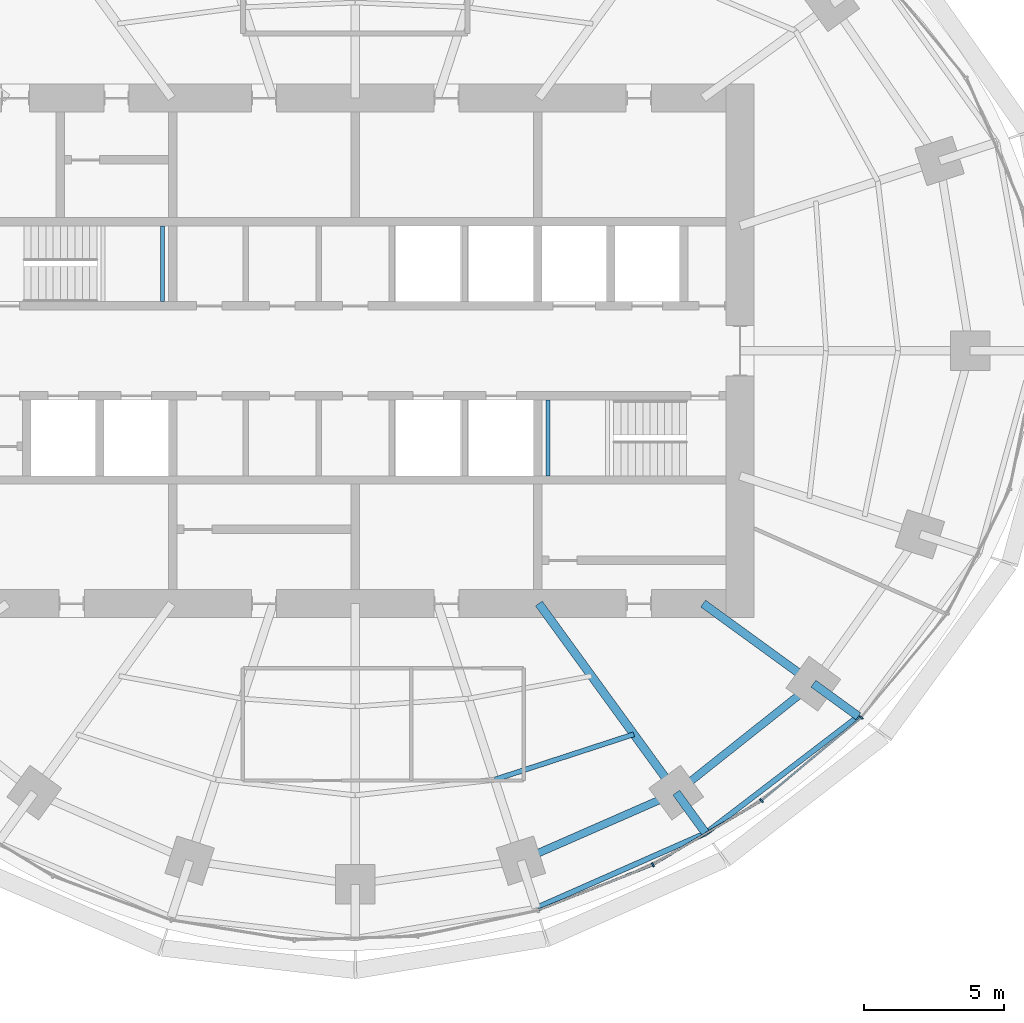
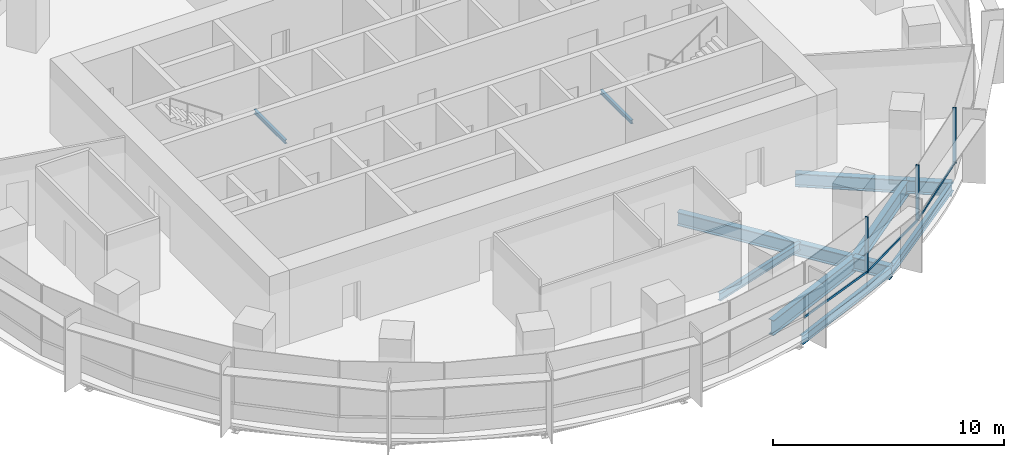
# One storey, part 5 of 14: 11 beams, 6 members, 2 elements without a shape of their own.
"""IFC4 building model written with IfcOpenShell, lengths in metres."""

from ifc_helpers import new_model, si_unit, direction, frame, origin, origin_2d, place, context, subcontext, project, spatial, rectangle, i_section, extrude, material, material_profile, profile_set, type_object, element, aggregate, save


model = new_model("IFC4")

# Units and contexts
model_context = context("Model", 3, precision=1e-05, world=origin(), true_north=direction((0.0, 1.0)))
body_context = subcontext(model_context, "Body", "Model", "MODEL_VIEW")
ifc_project = project(units=[si_unit("LENGTHUNIT", "METRE"), si_unit("AREAUNIT", "SQUARE_METRE"), si_unit("VOLUMEUNIT", "CUBIC_METRE"), si_unit("PLANEANGLEUNIT", "RADIAN"), si_unit("MASSUNIT", "GRAM", prefix="KILO")], contexts=[model_context])

# Site, building, storey
site_placement = place(None, origin())
site = spatial("IfcSite", under=ifc_project, at=site_placement, CompositionType="ELEMENT")
building_placement = place(site_placement, origin())
building = spatial("IfcBuilding", under=site, at=building_placement, Name="Marramba Exchange Tower", CompositionType="ELEMENT")
storey_placement = place(building_placement, frame((0.0, 0.0, 222.800048828125)))
storey = spatial("IfcBuildingStorey", under=building, at=storey_placement, Name="L54", CompositionType="ELEMENT", Elevation=222.800048828125)

# Beams
ifc_material_1 = material(Name="Steel AS/NZS 3679.2 grade 300", Category="steel")
ifc_material_profile_1 = material_profile(ifc_material_1, i_section(OverallWidth=0.300048828125, OverallDepth=0.699951171875, WebThickness=0.010009765625, FlangeThickness=0.031982421875, at=origin_2d()), Name="700WB173")
ifc_profile_set_1 = profile_set([ifc_material_profile_1], Name="Steel AS/NZS 3679.2 grade 300")
beam_type_1 = type_object("IfcBeamType", Name="Cantilever girder 700WB173", PredefinedType="BEAM", material=ifc_profile_set_1)
beam_1_placement = place(storey_placement, frame((11.430419921875, -15.732666015625, -0.510009765625), z_axis=(0.58783009415, -0.808984412959, 0.0), x_axis=(0.808984412959, 0.58783009415, 0.0)))
element("IfcBeam", 1, at=beam_1_placement, inside=storey, type_object=beam_type_1, Name="Cantilever girder L54 TC18", PredefinedType="BEAM", context=body_context, shape_type="SweptSolid", body=[
    extrude(i_section(OverallWidth=0.300048828125, OverallDepth=0.699951171875, WebThickness=0.010009765625, FlangeThickness=0.031982421875, at=origin_2d()), origin(), (0.0, 0.0, 1.0), 1.78515625),
])
beam_2_placement = place(storey_placement, frame((16.3154296875, -11.853759765625, -0.510009765625), z_axis=(0.808970801893, -0.587848825537, 0.0), x_axis=(0.587848825537, 0.808970801893, 0.0)))
element("IfcBeam", 2, at=beam_2_placement, inside=storey, type_object=beam_type_1, Name="Cantilever girder L54 TC19", PredefinedType="BEAM", context=body_context, shape_type="SweptSolid", body=[
    extrude(i_section(OverallWidth=0.300048828125, OverallDepth=0.699951171875, WebThickness=0.010009765625, FlangeThickness=0.031982421875, at=origin_2d()), origin(), (0.0, 0.0, 1.0), 1.978515625),
])
ifc_material_2 = material(Name="Steel AS/NZS 3679.1 grade 300", Category="steel")
ifc_material_profile_2 = material_profile(ifc_material_2, i_section(OverallWidth=0.177978515625, OverallDepth=0.406005859375, WebThickness=0.0078125, FlangeThickness=0.0126953125, FilletRadius=0.011474609375, at=origin_2d()), Name="410UB59.7")
ifc_profile_set_2 = profile_set([ifc_material_profile_2], Name="Steel AS/NZS 3679.1 grade 300")
beam_type_2 = type_object("IfcBeamType", Name="Floor joist 410UB59.7", PredefinedType="JOIST", material=ifc_profile_set_2)
beam_3_placement = place(storey_placement, frame((4.9619140625, -15.271484375, -0.363037109375), z_axis=(0.950764024931, 0.309915744834, 0.0), x_axis=(-0.309915744834, 0.950764024931, 0.0)))
element("IfcBeam", 3, at=beam_3_placement, inside=storey, type_object=beam_type_2, Name="Joist L54 bay 17 row 2", PredefinedType="JOIST", context=body_context, shape_type="SweptSolid", body=[
    extrude(i_section(OverallWidth=0.177978515625, OverallDepth=0.406005859375, WebThickness=0.0078125, FlangeThickness=0.0126953125, FilletRadius=0.011474609375, at=origin_2d()), origin(), (0.0, 0.0, 1.0), 5.2158203125),
])

# Curtain wall, members
ifc_material_3 = material(Name="Aluminium framing, bronze anodised", Category="aluminium")
curtain_wall_type = type_object("IfcCurtainWallType", Name="Office ribbon curtain wall", PredefinedType="USERDEFINED", material=ifc_material_3)
curtain_wall_1_placement = place(storey_placement, origin())
curtain_wall_1 = element("IfcCurtainWall", 4, at=curtain_wall_1_placement, inside=storey, type_object=curtain_wall_type, Name="Curtain wall CW4 L54 F26-F30", ObjectType="RIBBON CURTAIN WALL", PredefinedType="USERDEFINED")
ifc_material_4 = material(Name="Aluminium mullion, bronze anodised", Category="aluminium")
ifc_material_profile_3 = material_profile(ifc_material_4, rectangle(XDim=0.159912109375, YDim=0.06005859375, at=origin_2d()), Name="CW4 mullion 60x160")
ifc_profile_set_3 = profile_set([ifc_material_profile_3], Name="Aluminium mullion, bronze anodised")
member_type_1 = type_object("IfcMemberType", Name="Office ribbon curtain wall mullion", PredefinedType="MULLION", material=ifc_profile_set_3)
member_1_placement = place(storey_placement, frame((10.60009765625, -18.2998046875, 0.800048828125), z_axis=(0.0, 0.0, 1.0), x_axis=(-0.508010571686, 0.861350833897, 0.0)))
member_1 = element("IfcMember", 5, at=member_1_placement, type_object=member_type_1, Name="CW4 mullion 1", PredefinedType="MULLION", context=body_context, shape_type="SweptSolid", body=[
    extrude(rectangle(XDim=0.159912109375, YDim=0.06005859375, at=origin_2d()), origin(), (0.0, 0.0, 1.0), 2.93994140625),
])
member_2_placement = place(storey_placement, frame((14.461669921875, -16.0166015625, 0.800048828125), z_axis=(0.0, 0.0, 1.0), x_axis=(-0.639565270127, 0.768736798421, 0.0)))
member_2 = element("IfcMember", 6, at=member_2_placement, type_object=member_type_1, Name="CW4 mullion 1", PredefinedType="MULLION", context=body_context, shape_type="SweptSolid", body=[
    extrude(rectangle(XDim=0.159912109375, YDim=0.06005859375, at=origin_2d()), origin(), (0.0, 0.0, 1.0), 2.93994140625),
])
member_3_placement = place(storey_placement, frame((18.01611328125, -13.052490234375, 0.800048828125), z_axis=(0.0, 0.0, 1.0), x_axis=(-0.769912069289, 0.63814998673, 0.0)))
member_3 = element("IfcMember", 7, at=member_3_placement, type_object=member_type_1, Name="CW4 mullion 1", PredefinedType="MULLION", context=body_context, shape_type="SweptSolid", body=[
    extrude(rectangle(XDim=0.159912109375, YDim=0.06005859375, at=origin_2d()), origin(), (0.0, 0.0, 1.0), 2.93994140625),
])

# Curtain wall, member
curtain_wall_2_placement = place(storey_placement, origin())
curtain_wall_2 = element("IfcCurtainWall", 8, at=curtain_wall_2_placement, inside=storey, type_object=curtain_wall_type, Name="Curtain wall CW4 L54 F21-F25", ObjectType="RIBBON CURTAIN WALL", PredefinedType="USERDEFINED")
ifc_material_5 = material(Name="Aluminium transom, bronze anodised", Category="aluminium")
ifc_material_profile_4 = material_profile(ifc_material_5, rectangle(XDim=0.06005859375, YDim=0.1201171875, at=origin_2d()), Name="CW4 transom 60x120")
ifc_profile_set_4 = profile_set([ifc_material_profile_4], Name="Aluminium transom, bronze anodised")
member_type_2 = type_object("IfcMemberType", Name="Office ribbon curtain wall transom", PredefinedType="USERDEFINED", material=ifc_profile_set_4)
member_4_placement = place(storey_placement, frame((6.53271484375, -19.911376953125, 0.829833984375), z_axis=(0.930068344217, 0.367386547229, 0.0), x_axis=(-0.367386547229, 0.930068344217, 0.0)))
member_4 = element("IfcMember", 9, at=member_4_placement, type_object=member_type_2, Name="CW4 sill transom", ObjectType="TRANSOM", PredefinedType="USERDEFINED", context=body_context, shape_type="SweptSolid", body=[
    extrude(rectangle(XDim=0.06005859375, YDim=0.1201171875, at=origin_2d()), origin(), (0.0, 0.0, 1.0), 4.345458984375),
])
aggregate(curtain_wall_2, [member_4])

# Member
member_5_placement = place(storey_placement, frame((10.6259765625, -18.28466796875, 0.829833984375), z_axis=(0.861342387959, 0.508024891816, 0.0), x_axis=(-0.508024891816, 0.861342387959, 0.0)))
member_5 = element("IfcMember", 10, at=member_5_placement, type_object=member_type_2, Name="CW4 sill transom", ObjectType="TRANSOM", PredefinedType="USERDEFINED", context=body_context, shape_type="SweptSolid", body=[
    extrude(rectangle(XDim=0.06005859375, YDim=0.1201171875, at=origin_2d()), origin(), (0.0, 0.0, 1.0), 4.426513671875),
])

member_6_placement = place(storey_placement, frame((14.48486328125, -15.99755859375, 0.829833984375), z_axis=(0.768707257272, 0.639600775967, 0.0), x_axis=(-0.639600775967, 0.768707257272, 0.0)))
member_6 = element("IfcMember", 11, at=member_6_placement, type_object=member_type_2, Name="CW4 sill transom", ObjectType="TRANSOM", PredefinedType="USERDEFINED", context=body_context, shape_type="SweptSolid", body=[
    extrude(rectangle(XDim=0.06005859375, YDim=0.1201171875, at=origin_2d()), origin(), (0.0, 0.0, 1.0), 4.568603515625),
])

aggregate(curtain_wall_1, [member_1, member_5, member_2, member_6, member_3])

# Beams
ifc_material_profile_5 = material_profile(ifc_material_1, i_section(OverallWidth=0.300048828125, OverallDepth=0.699951171875, WebThickness=0.010009765625, FlangeThickness=0.031982421875, at=origin_2d()), Name="700WB173")
ifc_profile_set_5 = profile_set([ifc_material_profile_5], Name="Steel AS/NZS 3679.2 grade 300")
beam_type_3 = type_object("IfcBeamType", Name="Radial girder 700WB173", PredefinedType="BEAM", material=ifc_profile_set_5)
beam_4_placement = place(storey_placement, frame((6.538818359375, -9.0, -0.510009765625), z_axis=(0.587787877172, -0.809015087282, 0.0), x_axis=(0.809015087282, 0.587787877172, 0.0)))
element("IfcBeam", 12, at=beam_4_placement, inside=storey, type_object=beam_type_3, Name="Radial girder L54 TC18", PredefinedType="BEAM", context=body_context, shape_type="SweptSolid", body=[
    extrude(i_section(OverallWidth=0.300048828125, OverallDepth=0.699951171875, WebThickness=0.010009765625, FlangeThickness=0.031982421875, at=origin_2d()), origin(), (0.0, 0.0, 1.0), 8.322021484375),
])
beam_5_placement = place(storey_placement, frame((12.387451171875, -9.0, -0.510009765625), z_axis=(0.809025189606, -0.58777397236, 0.0), x_axis=(0.58777397236, 0.809025189606, 0.0)))
element("IfcBeam", 13, at=beam_5_placement, inside=storey, type_object=beam_type_3, Name="Radial girder L54 TC19", PredefinedType="BEAM", context=body_context, shape_type="SweptSolid", body=[
    extrude(i_section(OverallWidth=0.300048828125, OverallDepth=0.699951171875, WebThickness=0.010009765625, FlangeThickness=0.031982421875, at=origin_2d()), origin(), (0.0, 0.0, 1.0), 4.855224609375),
])
ifc_material_profile_6 = material_profile(ifc_material_1, i_section(OverallWidth=0.27490234375, OverallDepth=0.800048828125, WebThickness=0.010009765625, FlangeThickness=0.02490234375, at=origin_2d()), Name="800WB168")
ifc_profile_set_6 = profile_set([ifc_material_profile_6], Name="Steel AS/NZS 3679.2 grade 300")
beam_type_4 = type_object("IfcBeamType", Name="Ring beam 800WB168", PredefinedType="SPANDREL", material=ifc_profile_set_6)
beam_6_placement = place(storey_placement, frame((5.899658203125, -18.156982421875, -0.56005859375), z_axis=(0.915876892158, 0.4014592363, 0.0), x_axis=(-0.4014592363, 0.915876892158, 0.0)))
element("IfcBeam", 14, at=beam_6_placement, inside=storey, type_object=beam_type_4, Name="Ring beam L54 TC17-TC18", PredefinedType="SPANDREL", context=body_context, shape_type="SweptSolid", body=[
    extrude(i_section(OverallWidth=0.27490234375, OverallDepth=0.800048828125, WebThickness=0.010009765625, FlangeThickness=0.02490234375, at=origin_2d()), origin(), (0.0, 0.0, 1.0), 6.038818359375),
])
beam_7_placement = place(storey_placement, frame((11.430419921875, -15.732666015625, -0.56005859375), z_axis=(0.783139438128, 0.621846138887, 0.0), x_axis=(-0.621846138887, 0.783139438128, 0.0)))
element("IfcBeam", 15, at=beam_7_placement, inside=storey, type_object=beam_type_4, Name="Ring beam L54 TC18-TC19", PredefinedType="SPANDREL", context=body_context, shape_type="SweptSolid", body=[
    extrude(i_section(OverallWidth=0.27490234375, OverallDepth=0.800048828125, WebThickness=0.010009765625, FlangeThickness=0.02490234375, at=origin_2d()), origin(), (0.0, 0.0, 1.0), 6.23779296875),
])
ifc_material_profile_7 = material_profile(ifc_material_2, i_section(OverallWidth=0.19091796875, OverallDepth=0.4599609375, WebThickness=0.010009765625, FlangeThickness=0.01611328125, FilletRadius=0.011474609375, at=origin_2d()), Name="460UB82.1")
ifc_profile_set_7 = profile_set([ifc_material_profile_7], Name="Steel AS/NZS 3679.1 grade 300")
beam_type_5 = type_object("IfcBeamType", Name="Slab edge beam 460UB82.1", PredefinedType="SPANDREL", material=ifc_profile_set_7)
beam_8_placement = place(storey_placement, frame((6.44580078125, -19.83837890625, -0.39013671875), z_axis=(0.914940719579, 0.403588255102, 0.0), x_axis=(-0.403588255102, 0.914940719579, 0.0)))
element("IfcBeam", 16, at=beam_8_placement, inside=storey, type_object=beam_type_5, Name="Slab edge beam L54 TC17-TC18", PredefinedType="SPANDREL", context=body_context, shape_type="SweptSolid", body=[
    extrude(i_section(OverallWidth=0.19091796875, OverallDepth=0.4599609375, WebThickness=0.010009765625, FlangeThickness=0.01611328125, FilletRadius=0.011474609375, at=origin_2d()), origin(), (0.0, 0.0, 1.0), 6.594970703125),
])
beam_9_placement = place(storey_placement, frame((12.479736328125, -17.1767578125, -0.39013671875), z_axis=(0.794163423189, 0.607704251481, 0.0), x_axis=(-0.607704251481, 0.794163423189, 0.0)))
element("IfcBeam", 17, at=beam_9_placement, inside=storey, type_object=beam_type_5, Name="Slab edge beam L54 TC18-TC19", PredefinedType="SPANDREL", context=body_context, shape_type="SweptSolid", body=[
    extrude(i_section(OverallWidth=0.19091796875, OverallDepth=0.4599609375, WebThickness=0.010009765625, FlangeThickness=0.01611328125, FilletRadius=0.011474609375, at=origin_2d()), origin(), (0.0, 0.0, 1.0), 6.84521484375),
])
ifc_material_profile_8 = material_profile(ifc_material_2, i_section(OverallWidth=0.133056640625, OverallDepth=0.202880859375, WebThickness=0.005859375, FlangeThickness=0.0078125, FilletRadius=0.0087890625, at=origin_2d()), Name="200UB25.4")
ifc_profile_set_8 = profile_set([ifc_material_profile_8], Name="Steel AS/NZS 3679.1 grade 300")
beam_type_6 = type_object("IfcBeamType", Name="Stair landing beam 200UB25.4", PredefinedType="BEAM", material=ifc_profile_set_8)
for number, where, z_axis, x_axis, name in (
    (18, (-6.866455078125, 1.75, 1.6484375), (0.0, 1.0, 0.0), (-1.0, 0.0, 0.0), "Stair landing beam SLB1 ST1 L54 2"),
    (19, (6.866455078125, -4.449951171875, 1.6484375), (0.0, 1.0, 0.0), (-1.0, 0.0, 0.0), "Stair landing beam SLB1 ST2 L54 1"),
):
    element("IfcBeam", number, at=place(storey_placement, frame(where, z_axis=z_axis, x_axis=x_axis)), inside=storey, type_object=beam_type_6, Name=name, PredefinedType="BEAM", context=body_context, shape_type="SweptSolid", body=[
        extrude(i_section(OverallWidth=0.133056640625, OverallDepth=0.202880859375, WebThickness=0.005859375, FlangeThickness=0.0078125, FilletRadius=0.0087890625, at=origin_2d()), origin(), (0.0, 0.0, 1.0), 2.699951171875),
    ])

save(model, "model.ifc")
